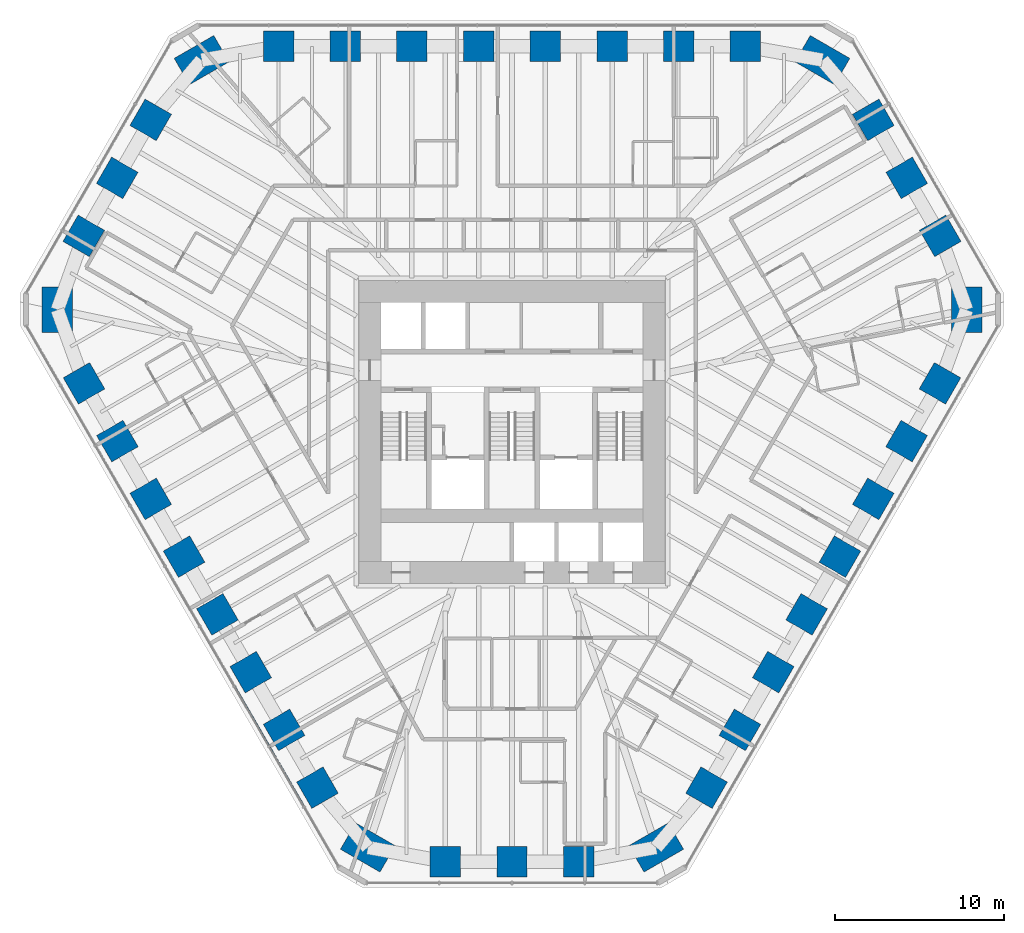
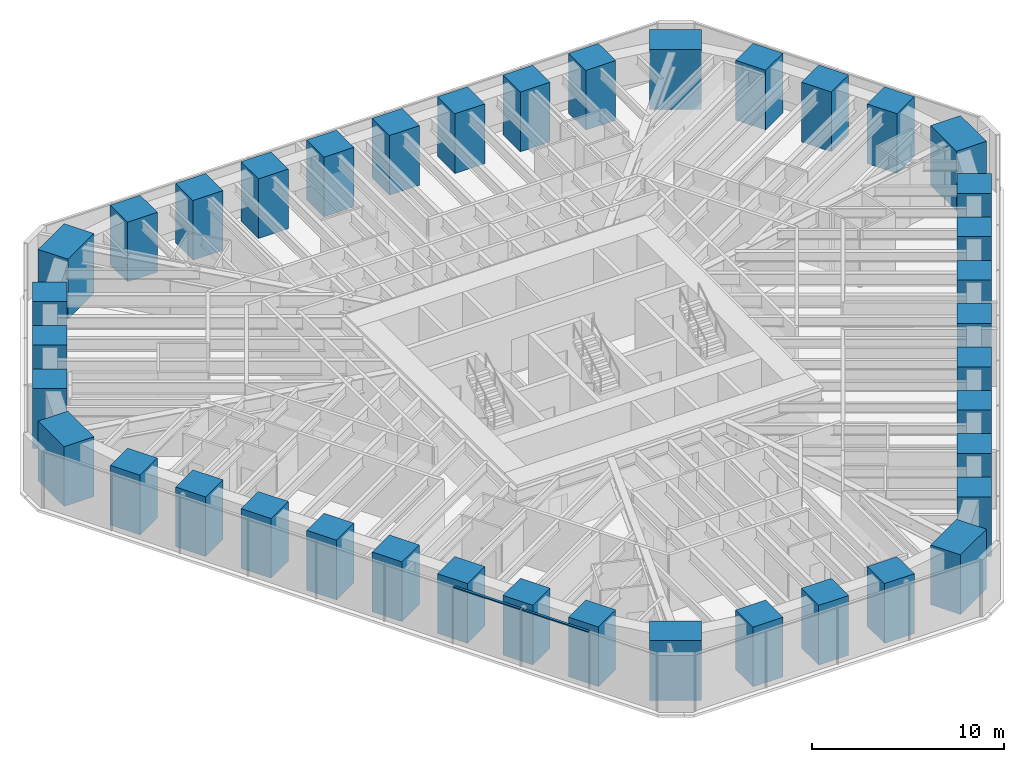
# One storey, part 1 of 17: 39 columns, 2 members, 1 element without a shape of its own.
"""IFC4 building model written with IfcOpenShell, lengths in metres."""

from ifc_helpers import new_model, si_unit, direction, frame, origin, origin_2d, place, context, subcontext, project, spatial, rectangle, extrude, material, material_profile, profile_set, type_object, element, aggregate, save


model = new_model("IFC4")

# Units and contexts
model_context = context("Model", 3, precision=1e-05, world=origin(), true_north=direction((0.0, 1.0)))
body_context = subcontext(model_context, "Body", "Model", "MODEL_VIEW")
ifc_project = project(units=[si_unit("LENGTHUNIT", "METRE"), si_unit("AREAUNIT", "SQUARE_METRE"), si_unit("VOLUMEUNIT", "CUBIC_METRE"), si_unit("PLANEANGLEUNIT", "RADIAN"), si_unit("MASSUNIT", "GRAM", prefix="KILO")], contexts=[model_context])

# Site, building, storey
site_placement = place(None, origin())
site = spatial("IfcSite", under=ifc_project, at=site_placement, CompositionType="ELEMENT")
building_placement = place(site_placement, origin())
building = spatial("IfcBuilding", under=site, at=building_placement, Name="Sandreach Pilgrim Tower", CompositionType="ELEMENT")
storey_placement = place(building_placement, frame((0.0, 0.0, 138.60009765625)))
storey = spatial("IfcBuildingStorey", under=building, at=storey_placement, Name="L34", CompositionType="ELEMENT", Elevation=138.60009765625)

# Columns
ifc_material_1 = material(Name="Concrete 10000 psi", Category="concrete")
ifc_material_profile_1 = material_profile(ifc_material_1, rectangle(XDim=1.800048828125, YDim=1.800048828125, at=origin_2d()), Name="RC1800X1800")
ifc_profile_set_1 = profile_set([ifc_material_profile_1], Name="Concrete 10000 psi")
column_type_1 = type_object("IfcColumnType", Name="Tube column RC1800X1800", PredefinedType="COLUMN", material=ifc_profile_set_1)
for number, where, z_axis, x_axis, name in (
    (1, (-13.789794921875, 21.23388671875, 0.0), (0.0, 0.0, 1.0), (0.0, 1.0, 0.0), "COL L34 T01"),
    (2, (-9.849853515625, 21.23388671875, 0.0), (0.0, 0.0, 1.0), (0.0, 1.0, 0.0), "COL L34 T02"),
    (3, (-5.909912109375, 21.23388671875, 0.0), (0.0, 0.0, 1.0), (0.0, 1.0, 0.0), "COL L34 T03"),
    (4, (-1.969970703125, 21.23388671875, 0.0), (0.0, 0.0, 1.0), (0.0, 1.0, 0.0), "COL L34 T04"),
    (5, (1.969970703125, 21.23388671875, 0.0), (0.0, 0.0, 1.0), (0.0, 1.0, 0.0), "COL L34 T05"),
    (6, (5.909912109375, 21.23388671875, 0.0), (0.0, 0.0, 1.0), (0.0, 1.0, 0.0), "COL L34 T06"),
    (7, (9.849853515625, 21.23388671875, 0.0), (0.0, 0.0, 1.0), (0.0, 1.0, 0.0), "COL L34 T07"),
    (8, (13.789794921875, 21.23388671875, 0.0), (0.0, 0.0, 1.0), (0.0, 1.0, 0.0), "COL L34 T08"),
    (9, (21.346435546875, 16.891357421875, 0.0), (0.0, 0.0, 1.0), (0.866025403784, 0.5, 0.0), "COL L34 T10"),
    (10, (23.323974609375, 13.466064453125, 0.0), (0.0, 0.0, 1.0), (0.866025403784, 0.5, 0.0), "COL L34 T11"),
    (11, (25.301513671875, 10.040771484375, 0.0), (0.0, 0.0, 1.0), (0.866025403784, 0.5, 0.0), "COL L34 T12"),
    (12, (25.283935546875, 1.325439453125, 0.0), (0.0, 0.0, 1.0), (0.866025403784, -0.5, 0.0), "COL L34 T14"),
    (13, (23.31396484375, -2.086669921875, 0.0), (0.0, 0.0, 1.0), (0.866025403784, -0.5, 0.0), "COL L34 T15"),
    (14, (21.343994140625, -5.498779296875, 0.0), (0.0, 0.0, 1.0), (0.866025403784, -0.5, 0.0), "COL L34 T16"),
    (15, (19.3740234375, -8.910888671875, 0.0), (0.0, 0.0, 1.0), (0.866025403784, -0.5, 0.0), "COL L34 T17"),
    (16, (17.404052734375, -12.322998046875, 0.0), (0.0, 0.0, 1.0), (0.866025403784, -0.5, 0.0), "COL L34 T18"),
    (17, (15.43408203125, -15.735107421875, 0.0), (0.0, 0.0, 1.0), (0.866025403784, -0.5, 0.0), "COL L34 T19"),
    (18, (13.464111328125, -19.147216796875, 0.0), (0.0, 0.0, 1.0), (0.866025403784, -0.5, 0.0), "COL L34 T20"),
    (19, (11.494140625, -22.559326171875, 0.0), (0.0, 0.0, 1.0), (0.866025403784, -0.5, 0.0), "COL L34 T21"),
    (20, (3.955322265625, -26.93212890625, 0.0), (0.0, 0.0, 1.0), (0.0, -1.0, 0.0), "COL L34 T23"),
    (21, (0.0, -26.93212890625, 0.0), (0.0, 0.0, 1.0), (0.0, -1.0, 0.0), "COL L34 T24"),
    (22, (-3.955322265625, -26.93212890625, 0.0), (0.0, 0.0, 1.0), (0.0, -1.0, 0.0), "COL L34 T25"),
    (23, (-11.494140625, -22.559326171875, 0.0), (0.0, 0.0, 1.0), (-0.866025403784, -0.5, 0.0), "COL L34 T27"),
    (24, (-13.464111328125, -19.147216796875, 0.0), (0.0, 0.0, 1.0), (-0.866025403784, -0.5, 0.0), "COL L34 T28"),
    (25, (-15.43408203125, -15.735107421875, 0.0), (0.0, 0.0, 1.0), (-0.866025403784, -0.5, 0.0), "COL L34 T29"),
    (26, (-17.404052734375, -12.322998046875, 0.0), (0.0, 0.0, 1.0), (-0.866025403784, -0.5, 0.0), "COL L34 T30"),
    (27, (-19.3740234375, -8.910888671875, 0.0), (0.0, 0.0, 1.0), (-0.866025403784, -0.5, 0.0), "COL L34 T31"),
    (28, (-21.343994140625, -5.498779296875, 0.0), (0.0, 0.0, 1.0), (-0.866025403784, -0.5, 0.0), "COL L34 T32"),
    (29, (-23.31396484375, -2.086669921875, 0.0), (0.0, 0.0, 1.0), (-0.866025403784, -0.5, 0.0), "COL L34 T33"),
    (30, (-25.283935546875, 1.325439453125, 0.0), (0.0, 0.0, 1.0), (-0.866025403784, -0.5, 0.0), "COL L34 T34"),
    (31, (-25.301513671875, 10.040771484375, 0.0), (0.0, 0.0, 1.0), (-0.866025403784, 0.5, 0.0), "COL L34 T36"),
    (32, (-23.323974609375, 13.466064453125, 0.0), (0.0, 0.0, 1.0), (-0.866025403784, 0.5, 0.0), "COL L34 T37"),
    (33, (-21.346435546875, 16.891357421875, 0.0), (0.0, 0.0, 1.0), (-0.866025403784, 0.5, 0.0), "COL L34 T38"),
):
    element("IfcColumn", number, at=place(storey_placement, frame(where, z_axis=z_axis, x_axis=x_axis)), inside=storey, type_object=column_type_1, Name=name, PredefinedType="COLUMN", context=body_context, shape_type="SweptSolid", body=[
        extrude(rectangle(XDim=1.800048828125, YDim=1.800048828125, at=origin_2d()), origin(), (0.0, 0.0, 1.0), 3.7998046875),
    ])
ifc_material_2 = material(Name="Concrete 10000 psi", Category="concrete")
ifc_material_profile_2 = material_profile(ifc_material_2, rectangle(XDim=1.800048828125, YDim=2.699951171875, at=origin_2d()), Name="RC1800X2700")
ifc_profile_set_2 = profile_set([ifc_material_profile_2], Name="Concrete 10000 psi")
column_type_2 = type_object("IfcColumnType", Name="Tube corner pier RC1800X2700", PredefinedType="COLUMN", material=ifc_profile_set_2)
for number, where, z_axis, x_axis, name in (
    (34, (18.33935546875, 20.423828125, 0.0), (0.0, 0.0, 1.0), (0.5, 0.866025403784, 0.0), "COL L34 T09"),
    (35, (26.857177734375, 5.67041015625, 0.0), (0.0, 0.0, 1.0), (1.0, 0.0, 0.0), "COL L34 T13"),
    (36, (8.517822265625, -26.09423828125, 0.0), (0.0, 0.0, 1.0), (0.5, -0.866025403784, 0.0), "COL L34 T22"),
    (37, (-8.517822265625, -26.09423828125, 0.0), (0.0, 0.0, 1.0), (-0.5, -0.866025403784, 0.0), "COL L34 T26"),
    (38, (-26.857177734375, 5.67041015625, 0.0), (0.0, 0.0, 1.0), (-1.0, 0.0, 0.0), "COL L34 T35"),
    (39, (-18.33935546875, 20.423828125, 0.0), (0.0, 0.0, 1.0), (-0.5, 0.866025403784, 0.0), "COL L34 T39"),
):
    element("IfcColumn", number, at=place(storey_placement, frame(where, z_axis=z_axis, x_axis=x_axis)), inside=storey, type_object=column_type_2, Name=name, PredefinedType="COLUMN", context=body_context, shape_type="SweptSolid", body=[
        extrude(rectangle(XDim=1.800048828125, YDim=2.699951171875, at=origin_2d()), origin(), (0.0, 0.0, 1.0), 3.7998046875),
    ])

# Curtain wall, members
ifc_material_3 = material(Name="Aluminium framed curtain wall", Category="aluminium")
curtain_wall_type = type_object("IfcCurtainWallType", Name="Hotel tower curtain wall", PredefinedType="NOTDEFINED", material=ifc_material_3)
curtain_wall_placement = place(storey_placement, origin())
curtain_wall = element("IfcCurtainWall", 40, at=curtain_wall_placement, inside=storey, type_object=curtain_wall_type, Name="CW-2 L34 SW", PredefinedType="NOTDEFINED")
ifc_material_4 = material(Name="Aluminium extrusion", Category="aluminium")
ifc_material_profile_3 = material_profile(ifc_material_4, rectangle(XDim=0.139892578125, YDim=0.070068359375, at=origin_2d()), Name="CW-2T 140X70")
ifc_profile_set_3 = profile_set([ifc_material_profile_3], Name="Aluminium extrusion")
member_type = type_object("IfcMemberType", Name="CW-2 transom", PredefinedType="USERDEFINED", material=ifc_profile_set_3)
member_1_placement = place(storey_placement, frame((-12.309326171875, -23.667236328125, 3.60498046875), z_axis=(-0.500023973715, 0.866011562111, 0.0), x_axis=(-0.866011562111, -0.500023973715, 0.0)))
member_1 = element("IfcMember", 41, at=member_1_placement, type_object=member_type, Name="CW-2 head transom 2", ObjectType="TRANSOM", PredefinedType="USERDEFINED", context=body_context, shape_type="SweptSolid", body=[
    extrude(rectangle(XDim=0.139892578125, YDim=0.070068359375, at=origin_2d()), origin(), (0.0, 0.0, 1.0), 4.041748046875),
])
member_2_placement = place(storey_placement, frame((-14.36279296875, -20.110595703125, 3.60498046875), z_axis=(-0.499997818338, 0.866026663364, 0.0), x_axis=(-0.866026663364, -0.499997818338, 0.0)))
member_2 = element("IfcMember", 42, at=member_2_placement, type_object=member_type, Name="CW-2 head transom 3", ObjectType="TRANSOM", PredefinedType="USERDEFINED", context=body_context, shape_type="SweptSolid", body=[
    extrude(rectangle(XDim=0.139892578125, YDim=0.070068359375, at=origin_2d()), origin(), (0.0, 0.0, 1.0), 4.0419921875),
])
aggregate(curtain_wall, [member_1, member_2])

save(model, "model.ifc")
